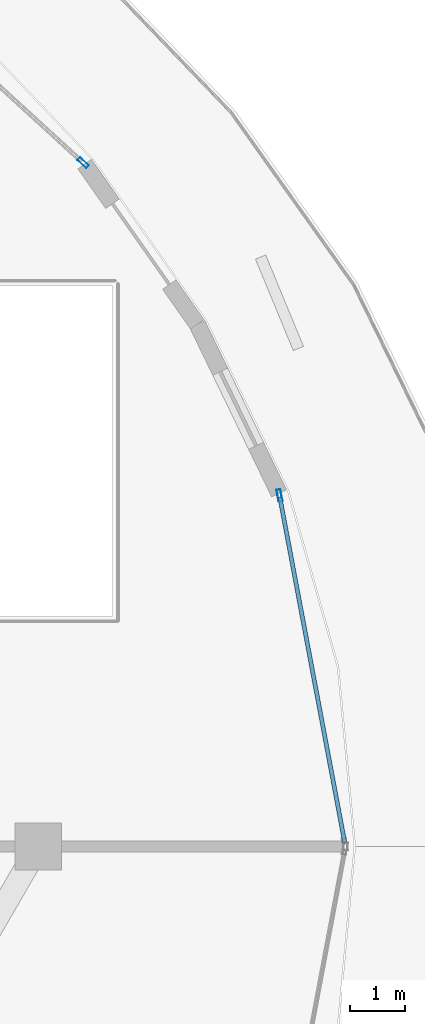
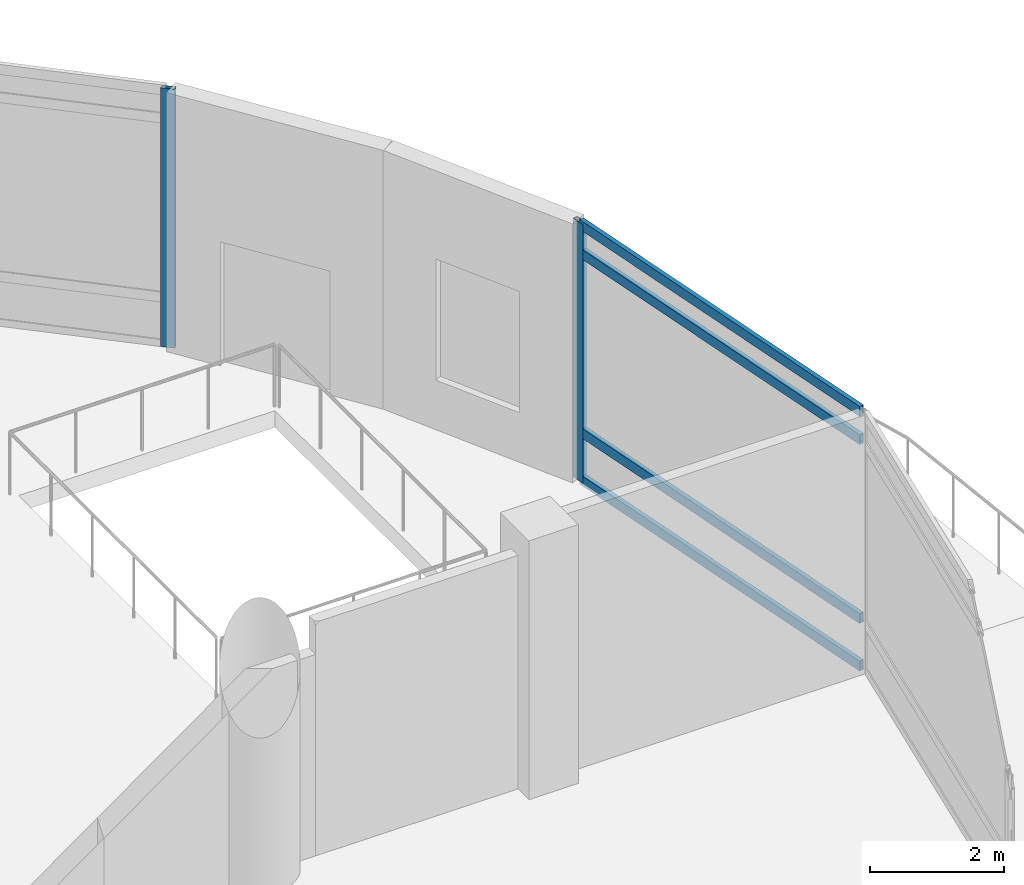
# One storey, part 23 of 36: 6 members, 2 elements without a shape of their own.
"""IFC4 building model written with IfcOpenShell, lengths in metres."""

from ifc_helpers import new_model, si_unit, direction, frame, origin, origin_2d, place, context, subcontext, project, spatial, hollow_rectangle, extrude, material, layer, layer_set, material_profile, profile_set, type_object, element, aggregate, save


model = new_model("IFC4")

# Units and contexts
model_context = context("Model", 3, precision=1e-05, world=origin(), true_north=direction((0.0, 1.0)))
body_context = subcontext(model_context, "Body", "Model", "MODEL_VIEW")
ifc_project = project(units=[si_unit("LENGTHUNIT", "METRE"), si_unit("AREAUNIT", "SQUARE_METRE"), si_unit("VOLUMEUNIT", "CUBIC_METRE"), si_unit("PLANEANGLEUNIT", "RADIAN"), si_unit("MASSUNIT", "GRAM", prefix="KILO")], contexts=[model_context])

# Site, building, storey
site_placement = place(None, origin())
site = spatial("IfcSite", under=ifc_project, at=site_placement, CompositionType="ELEMENT")
building_placement = place(site_placement, origin())
building = spatial("IfcBuilding", under=site, at=building_placement, Name="Nuhasar Tower", CompositionType="ELEMENT")
storey_placement = place(building_placement, frame((0.0, 0.0, 11.0)))
storey = spatial("IfcBuildingStorey", under=building, at=storey_placement, Name="L02", CompositionType="ELEMENT", Elevation=11.0)

# Curtain wall, member
ifc_material = material(Name="Aluminium 6063-T6", Category="aluminium")
ifc_layer = layer(ifc_material, 0.219970703125)
ifc_layer_set = layer_set([ifc_layer], Name="Aluminium 6063-T6")
curtain_wall_type = type_object("IfcCurtainWallType", Name="CW-PODIUM", PredefinedType="NOTDEFINED", material=ifc_layer_set)
curtain_wall_1_placement = place(storey_placement, origin())
curtain_wall_1 = element("IfcCurtainWall", 1, at=curtain_wall_1_placement, inside=storey, type_object=curtain_wall_type, Name="L02 Podium Curtain Wall Bay 01", PredefinedType="NOTDEFINED")
ifc_material_profile_1 = material_profile(ifc_material, hollow_rectangle(XDim=0.074951171875, YDim=0.219970703125, WallThickness=0.0048828125, at=origin_2d()), Name="CWM-1")
ifc_profile_set_1 = profile_set([ifc_material_profile_1], Name="Aluminium 6063-T6")
member_type_1 = type_object("IfcMemberType", Name="CW-MUL-S1", PredefinedType="MULLION", material=ifc_profile_set_1)
member_1_placement = place(storey_placement, frame((73.239013671875, 33.192138671875, 0.0), z_axis=(0.0, 0.0, 1.0), x_axis=(-0.982801159334, -0.184666946725, 0.0)))
member_1 = element("IfcMember", 2, at=member_1_placement, type_object=member_type_1, Name="CW-P1 mullion 2", PredefinedType="MULLION", context=body_context, shape_type="SweptSolid", body=[
    extrude(hollow_rectangle(XDim=0.074951171875, YDim=0.219970703125, WallThickness=0.0048828125, at=origin_2d()), origin(), (0.0, 0.0, 1.0), 4.699951171875),
])

curtain_wall_2_placement = place(storey_placement, origin())
curtain_wall_2 = element("IfcCurtainWall", 3, at=curtain_wall_2_placement, inside=storey, type_object=curtain_wall_type, Name="L02 Podium Curtain Wall Bay 03", PredefinedType="NOTDEFINED")
member_2_placement = place(storey_placement, frame((69.664306640625, 39.245361328125, 0.0), z_axis=(0.0, 0.0, 1.0), x_axis=(-0.674465166517, -0.738306670127, 0.0)))
member_2 = element("IfcMember", 4, at=member_2_placement, type_object=member_type_1, Name="CW-P1 mullion 1", PredefinedType="MULLION", context=body_context, shape_type="SweptSolid", body=[
    extrude(hollow_rectangle(XDim=0.074951171875, YDim=0.219970703125, WallThickness=0.0048828125, at=origin_2d()), origin(), (0.0, 0.0, 1.0), 4.699951171875),
])
aggregate(curtain_wall_2, [member_2])

# Member
ifc_material_profile_2 = material_profile(ifc_material, hollow_rectangle(XDim=0.074951171875, YDim=0.179931640625, WallThickness=0.00439453125, at=origin_2d()), Name="CWT-1")
ifc_profile_set_2 = profile_set([ifc_material_profile_2], Name="Aluminium 6063-T6")
member_type_2 = type_object("IfcMemberType", Name="CW-TRN-S1", PredefinedType="USERDEFINED", material=ifc_profile_set_2)
member_3_placement = place(storey_placement, frame((74.42626953125, 26.873779296875, 0.03759765625), z_axis=(-0.184687509174, 0.982797295456, 0.0), x_axis=(-0.982797295456, -0.184687509174, 0.0)))
member_3 = element("IfcMember", 5, at=member_3_placement, type_object=member_type_2, Name="CW-P1 transom 1.1", ObjectType="TRANSOM", PredefinedType="USERDEFINED", context=body_context, shape_type="SweptSolid", body=[
    extrude(hollow_rectangle(XDim=0.074951171875, YDim=0.179931640625, WallThickness=0.00439453125, at=origin_2d()), origin(), (0.0, 0.0, 1.0), 6.391357421875),
])

member_4_placement = place(storey_placement, frame((74.42626953125, 26.873779296875, 0.89990234375), z_axis=(-0.184687509174, 0.982797295456, 0.0), x_axis=(-0.982797295456, -0.184687509174, 0.0)))
member_4 = element("IfcMember", 6, at=member_4_placement, type_object=member_type_2, Name="CW-P1 transom 1.2", ObjectType="TRANSOM", PredefinedType="USERDEFINED", context=body_context, shape_type="SweptSolid", body=[
    extrude(hollow_rectangle(XDim=0.074951171875, YDim=0.179931640625, WallThickness=0.00439453125, at=origin_2d()), origin(), (0.0, 0.0, 1.0), 6.391357421875),
])

member_5_placement = place(storey_placement, frame((74.42626953125, 26.873779296875, 4.14990234375), z_axis=(-0.184687509174, 0.982797295456, 0.0), x_axis=(-0.982797295456, -0.184687509174, 0.0)))
member_5 = element("IfcMember", 7, at=member_5_placement, type_object=member_type_2, Name="CW-P1 transom 1.3", ObjectType="TRANSOM", PredefinedType="USERDEFINED", context=body_context, shape_type="SweptSolid", body=[
    extrude(hollow_rectangle(XDim=0.074951171875, YDim=0.179931640625, WallThickness=0.00439453125, at=origin_2d()), origin(), (0.0, 0.0, 1.0), 6.391357421875),
])

member_6_placement = place(storey_placement, frame((74.42626953125, 26.873779296875, 4.66259765625), z_axis=(-0.184687509174, 0.982797295456, 0.0), x_axis=(-0.982797295456, -0.184687509174, 0.0)))
member_6 = element("IfcMember", 8, at=member_6_placement, type_object=member_type_2, Name="CW-P1 transom 1.4", ObjectType="TRANSOM", PredefinedType="USERDEFINED", context=body_context, shape_type="SweptSolid", body=[
    extrude(hollow_rectangle(XDim=0.074951171875, YDim=0.179931640625, WallThickness=0.00439453125, at=origin_2d()), origin(), (0.0, 0.0, 1.0), 6.391357421875),
])

aggregate(curtain_wall_1, [member_1, member_3, member_4, member_5, member_6])

save(model, "model.ifc")
